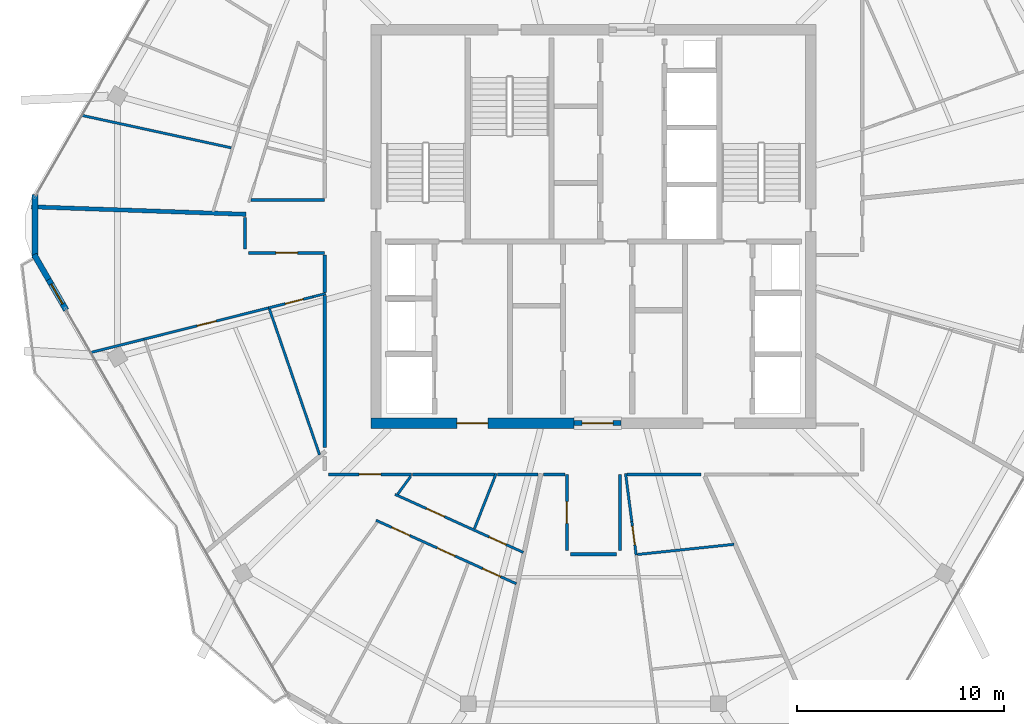
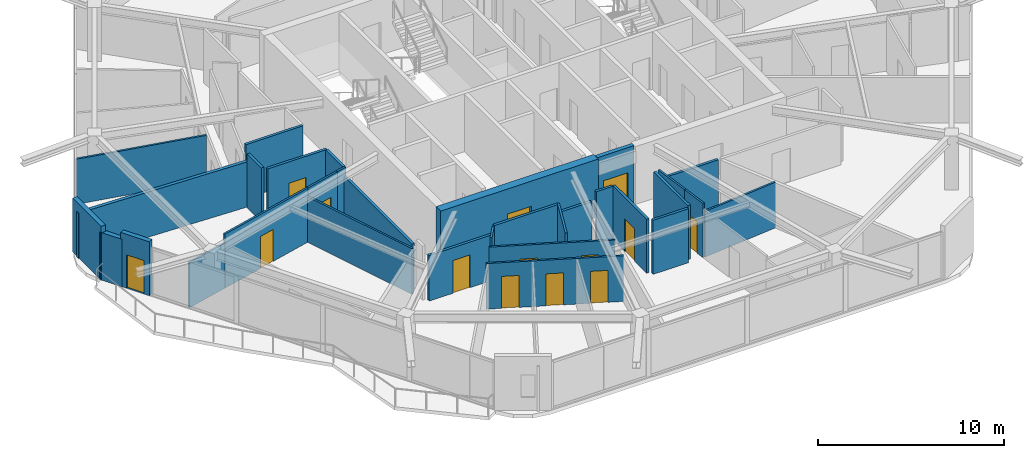
# One storey, part 12 of 18: 32 walls, 14 doors, 14 openings.
"""IFC4 building model written with IfcOpenShell, lengths in metres."""

from ifc_helpers import new_model, si_unit, direction, frame, frame_2d, origin, place, context, subcontext, project, spatial, rectangle, extrude, material, layer, layer_set, type_object, element, fill, save


model = new_model("IFC4")

# Units and contexts
model_context = context("Model", 3, precision=1e-05, world=origin(), true_north=direction((0.0, 1.0)))
body_context = subcontext(model_context, "Body", "Model", "MODEL_VIEW")
ifc_project = project(units=[si_unit("LENGTHUNIT", "METRE"), si_unit("AREAUNIT", "SQUARE_METRE"), si_unit("VOLUMEUNIT", "CUBIC_METRE"), si_unit("PLANEANGLEUNIT", "RADIAN"), si_unit("MASSUNIT", "GRAM", prefix="KILO")], contexts=[model_context])

# Site, building, storey
site_placement = place(None, origin())
site = spatial("IfcSite", under=ifc_project, at=site_placement, CompositionType="ELEMENT")
building_placement = place(site_placement, origin())
building = spatial("IfcBuilding", under=site, at=building_placement, Name="Zuhravey Tower", CompositionType="ELEMENT")
storey_placement = place(building_placement, frame((0.0, 0.0, 342.39990234375)))
storey = spatial("IfcBuildingStorey", under=building, at=storey_placement, Name="L87", CompositionType="ELEMENT", Elevation=342.39990234375)

# Wall, opening, door
ifc_material_1 = material(Name="Concrete C50/60", Category="concrete")
ifc_layer_1 = layer(ifc_material_1, 0.5)
ifc_layer_set_1 = layer_set([ifc_layer_1], Name="Concrete C50/60")
wall_type_1 = type_object("IfcWallType", Name="Core Shear Wall 500", PredefinedType="SHEAR", material=ifc_layer_set_1)
wall_1_placement = place(storey_placement, frame((25.25, 22.5, 0.0), z_axis=(0.0, 0.0, 1.0), x_axis=(1.0, 0.0, 0.0)))
wall_1 = element("IfcWall", 1, at=wall_1_placement, inside=storey, type_object=wall_type_1, Name="L87 South-West Core Shear Wall CW50", PredefinedType="SHEAR", context=body_context, shape_type="SweptSolid", body=[
    extrude(rectangle(XDim=9.800048828125, YDim=0.5, at=frame_2d((4.89990234375, 0.0))), origin(), (0.0, 0.0, 1.0), 3.800048828125),
])
opening_1_placement = place(wall_1_placement, frame((4.14990234375, 0.0, 0.0)))
opening_1 = element("IfcOpeningElement", 2, at=opening_1_placement, cuts=wall_1, Name="Opening FFD1", PredefinedType="OPENING", context=body_context, shape_type="SweptSolid", body=[
    extrude(rectangle(XDim=1.5, YDim=2.14990234375, at=frame_2d((0.75, 1.074951171875))), frame((0.0, 0.261962890625, 0.0), z_axis=(0.0, -1.0, 0.0), x_axis=(1.0, 0.0, 0.0)), (0.0, 0.0, 1.0), 0.52392578125),
])
ifc_material_2 = material(Name="Galvanised fire-rated steel leaf", Category="steel")
door_type_1 = type_object("IfcDoorType", Name="Firefighting Lobby Double Door 1500x2150", OperationType="DOUBLE_DOOR_SINGLE_SWING", PredefinedType="DOOR", material=ifc_material_2)
door_1_placement = place(opening_1_placement, origin())
door_1 = element("IfcDoor", 3, at=door_1_placement, inside=storey, type_object=door_type_1, Name="L87 Firefighting Lobby West Door", OperationType="DOUBLE_DOOR_SINGLE_SWING", OverallHeight=2.14990234375, OverallWidth=1.5, PredefinedType="DOOR", context=body_context, shape_type="SweptSolid", body=[
    extrude(rectangle(XDim=1.5, YDim=2.14990234375, at=frame_2d((0.75, 1.074951171875))), frame((0.0, 0.02490234375, 0.0), z_axis=(0.0, -1.0, 0.0), x_axis=(1.0, 0.0, 0.0)), (0.0, 0.0, 1.0), 0.050048828125),
])
fill(opening_1, door_1)

ifc_material_3 = material(Name="Gypsum fire-rated stud partition")
ifc_layer_2 = layer(ifc_material_3, 0.159912109375)
ifc_layer_set_2 = layer_set([ifc_layer_2], Name="Gypsum fire-rated stud partition")
wall_type_2 = type_object("IfcWallType", Name="Corridor Fire Partition 160", PredefinedType="PARTITIONING", material=ifc_layer_set_2)
wall_2_placement = place(storey_placement, frame((19.35009765625, 30.719970703125, 0.0), z_axis=(0.0, 0.0, 1.0), x_axis=(1.0, 0.0, 0.0)))
wall_2 = element("IfcWall", 4, at=wall_2_placement, inside=storey, type_object=wall_type_2, Name="L87 IW16 Partition 033", PredefinedType="PARTITIONING", context=body_context, shape_type="SweptSolid", body=[
    extrude(rectangle(XDim=3.669921875, YDim=0.159912109375, at=frame_2d((1.8349609375, 0.0))), origin(), (0.0, 0.0, 1.0), 3.550048828125),
])
opening_2_placement = place(wall_2_placement, frame((1.31005859375, 0.0, 0.0)))
opening_2 = element("IfcOpeningElement", 5, at=opening_2_placement, cuts=wall_2, Name="Opening APD1", PredefinedType="OPENING", context=body_context, shape_type="SweptSolid", body=[
    extrude(rectangle(XDim=1.050048828125, YDim=2.14990234375, at=frame_2d((0.52490234375, 1.074951171875))), frame((0.0, 0.092041015625, 0.0), z_axis=(0.0, -1.0, 0.0), x_axis=(1.0, 0.0, 0.0)), (0.0, 0.0, 1.0), 0.183837890625),
])
ifc_material_4 = material(Name="Solid-core oak fire-rated leaf")
door_type_2 = type_object("IfcDoorType", Name="Apartment Entrance Fire Door 1050x2150", OperationType="NOTDEFINED", PredefinedType="DOOR", material=ifc_material_4)
door_2_placement = place(opening_2_placement, frame((1.050048828125, 0.0, 0.0), z_axis=(0.0, 0.0, 1.0), x_axis=(-1.0, 0.0, 0.0)))
door_2 = element("IfcDoor", 6, at=door_2_placement, inside=storey, type_object=door_type_2, Name="L87 Door 033.1", OperationType="SINGLE_SWING_RIGHT", OverallHeight=2.14990234375, OverallWidth=1.050048828125, PredefinedType="DOOR", context=body_context, shape_type="SweptSolid", body=[
    extrude(rectangle(XDim=1.050048828125, YDim=2.14990234375, at=frame_2d((0.52490234375, 1.074951171875))), frame((0.0, 0.02490234375, 0.0), z_axis=(0.0, -1.0, 0.0), x_axis=(1.0, 0.0, 0.0)), (0.0, 0.0, 1.0), 0.050048828125),
])
fill(opening_2, door_2)

wall_3_placement = place(storey_placement, frame((23.20068359375, 20.02001953125, 0.0), z_axis=(0.0, 0.0, 1.0), x_axis=(1.0, 0.0, 0.0)))
wall_3 = element("IfcWall", 7, at=wall_3_placement, inside=storey, type_object=wall_type_2, Name="L87 IW16 Partition 036", PredefinedType="PARTITIONING", context=body_context, shape_type="SweptSolid", body=[
    extrude(rectangle(XDim=4.012939453125, YDim=0.159912109375, at=frame_2d((2.00634765625, 0.0))), origin(), (0.0, 0.0, 1.0), 3.0),
])
opening_3_placement = place(wall_3_placement, frame((1.4814453125, 0.0, 0.0)))
opening_3 = element("IfcOpeningElement", 8, at=opening_3_placement, cuts=wall_3, Name="Opening APD1", PredefinedType="OPENING", context=body_context, shape_type="SweptSolid", body=[
    extrude(rectangle(XDim=1.050048828125, YDim=2.14990234375, at=frame_2d((0.52490234375, 1.074951171875))), frame((0.0, 0.092041015625, 0.0), z_axis=(0.0, -1.0, 0.0), x_axis=(1.0, 0.0, 0.0)), (0.0, 0.0, 1.0), 0.183837890625),
])
door_3_placement = place(opening_3_placement, frame((1.050048828125, 0.0, 0.0), z_axis=(0.0, 0.0, 1.0), x_axis=(-1.0, 0.0, 0.0)))
door_3 = element("IfcDoor", 9, at=door_3_placement, inside=storey, type_object=door_type_2, Name="L87 Door 036.1", OperationType="SINGLE_SWING_RIGHT", OverallHeight=2.14990234375, OverallWidth=1.050048828125, PredefinedType="DOOR", context=body_context, shape_type="SweptSolid", body=[
    extrude(rectangle(XDim=1.050048828125, YDim=2.14990234375, at=frame_2d((0.52490234375, 1.074951171875))), frame((0.0, 0.02490234375, 0.0), z_axis=(0.0, -1.0, 0.0), x_axis=(1.0, 0.0, 0.0)), (0.0, 0.0, 1.0), 0.050048828125),
])
fill(opening_3, door_3)

wall_4_placement = place(storey_placement, frame((34.719970703125, 20.02001953125, 0.0), z_axis=(0.0, 0.0, 1.0), x_axis=(0.0, -1.0, 0.0)))
wall_4 = element("IfcWall", 10, at=wall_4_placement, inside=storey, type_object=wall_type_2, Name="L87 IW16 Partition 040", PredefinedType="PARTITIONING", context=body_context, shape_type="SweptSolid", body=[
    extrude(rectangle(XDim=3.669921875, YDim=0.159912109375, at=frame_2d((1.8349609375, 0.0))), origin(), (0.0, 0.0, 1.0), 3.550048828125),
])
opening_4_placement = place(wall_4_placement, frame((1.31005859375, 0.0, 0.0)))
opening_4 = element("IfcOpeningElement", 11, at=opening_4_placement, cuts=wall_4, Name="Opening APD1", PredefinedType="OPENING", context=body_context, shape_type="SweptSolid", body=[
    extrude(rectangle(XDim=1.050048828125, YDim=2.14990234375, at=frame_2d((0.52490234375, 1.074951171875))), frame((0.0, 0.092041015625, 0.0), z_axis=(0.0, -1.0, 0.0), x_axis=(1.0, 0.0, 0.0)), (0.0, 0.0, 1.0), 0.183837890625),
])
door_4_placement = place(opening_4_placement, origin())
door_4 = element("IfcDoor", 12, at=door_4_placement, inside=storey, type_object=door_type_2, Name="L87 Door 040.1", OperationType="SINGLE_SWING_RIGHT", OverallHeight=2.14990234375, OverallWidth=1.050048828125, PredefinedType="DOOR", context=body_context, shape_type="SweptSolid", body=[
    extrude(rectangle(XDim=1.050048828125, YDim=2.14990234375, at=frame_2d((0.52490234375, 1.074951171875))), frame((0.0, 0.02490234375, 0.0), z_axis=(0.0, -1.0, 0.0), x_axis=(1.0, 0.0, 0.0)), (0.0, 0.0, 1.0), 0.050048828125),
])
fill(opening_4, door_4)

# Walls
wall_5_placement = place(storey_placement, frame((23.02001953125, 33.280029296875, 0.0), z_axis=(0.0, 0.0, 1.0), x_axis=(-1.0, 0.0, 0.0)))
element("IfcWall", 13, at=wall_5_placement, inside=storey, type_object=wall_type_2, Name="L87 IW16 Partition 111", PredefinedType="PARTITIONING", context=body_context, shape_type="SweptSolid", body=[
    extrude(rectangle(XDim=3.55859375, YDim=0.159912109375, at=frame_2d((1.779296875, 0.0))), origin(), (0.0, 0.0, 1.0), 3.550048828125),
])
wall_6_placement = place(storey_placement, frame((23.02001953125, 30.632080078125, 0.0), z_axis=(0.0, 0.0, 1.0), x_axis=(0.0, -1.0, 0.0)))
element("IfcWall", 14, at=wall_6_placement, inside=storey, type_object=wall_type_2, Name="L87 IW16 Partition 113", PredefinedType="PARTITIONING", context=body_context, shape_type="SweptSolid", body=[
    extrude(rectangle(XDim=1.8173828125, YDim=0.159912109375, at=frame_2d((0.90869140625, 0.0))), origin(), (0.0, 0.0, 1.0), 3.550048828125),
])
wall_7_placement = place(storey_placement, frame((19.169921875, 32.420654296875, 0.0), z_axis=(0.0, 0.0, 1.0), x_axis=(0.0, -1.0, 0.0)))
element("IfcWall", 15, at=wall_7_placement, inside=storey, type_object=wall_type_2, Name="L87 IW16 Partition 114", PredefinedType="PARTITIONING", context=body_context, shape_type="SweptSolid", body=[
    extrude(rectangle(XDim=1.520751953125, YDim=0.159912109375, at=frame_2d((0.76025390625, 0.0))), origin(), (0.0, 0.0, 1.0), 3.550048828125),
])
wall_8_placement = place(storey_placement, frame((23.02001953125, 28.67431640625, 0.0), z_axis=(0.0, 0.0, 1.0), x_axis=(0.0, -1.0, 0.0)))
element("IfcWall", 16, at=wall_8_placement, inside=storey, type_object=wall_type_2, Name="L87 IW16 Partition 115", PredefinedType="PARTITIONING", context=body_context, shape_type="SweptSolid", body=[
    extrude(rectangle(XDim=7.348388671875, YDim=0.159912109375, at=frame_2d((3.67431640625, 0.0))), origin(), (0.0, 0.0, 1.0), 3.0),
])
wall_9_placement = place(storey_placement, frame((27.26318359375, 20.02001953125, 0.0), z_axis=(0.0, 0.0, 1.0), x_axis=(1.0, 0.0, 0.0)))
element("IfcWall", 17, at=wall_9_placement, inside=storey, type_object=wall_type_2, Name="L87 IW16 Partition 117", PredefinedType="PARTITIONING", context=body_context, shape_type="SweptSolid", body=[
    extrude(rectangle(XDim=3.945068359375, YDim=0.159912109375, at=frame_2d((1.97265625, 0.0))), origin(), (0.0, 0.0, 1.0), 3.550048828125),
])
wall_10_placement = place(storey_placement, frame((31.3544921875, 20.02001953125, 0.0), z_axis=(0.0, 0.0, 1.0), x_axis=(1.0, 0.0, 0.0)))
element("IfcWall", 18, at=wall_10_placement, inside=storey, type_object=wall_type_2, Name="L87 IW16 Partition 118", PredefinedType="PARTITIONING", context=body_context, shape_type="SweptSolid", body=[
    extrude(rectangle(XDim=1.968994140625, YDim=0.159912109375, at=frame_2d((0.984375, 0.0))), origin(), (0.0, 0.0, 1.0), 3.0),
])
wall_11_placement = place(storey_placement, frame((37.280029296875, 16.35009765625, 0.0), z_axis=(0.0, 0.0, 1.0), x_axis=(0.0, 1.0, 0.0)))
element("IfcWall", 19, at=wall_11_placement, inside=storey, type_object=wall_type_2, Name="L87 IW16 Partition 119", PredefinedType="PARTITIONING", context=body_context, shape_type="SweptSolid", body=[
    extrude(rectangle(XDim=3.669921875, YDim=0.159912109375, at=frame_2d((1.8349609375, 0.0))), origin(), (0.0, 0.0, 1.0), 3.550048828125),
])
wall_12_placement = place(storey_placement, frame((34.89990234375, 16.169921875, 0.0), z_axis=(0.0, 0.0, 1.0), x_axis=(1.0, 0.0, 0.0)))
element("IfcWall", 20, at=wall_12_placement, inside=storey, type_object=wall_type_2, Name="L87 IW16 Partition 120", PredefinedType="PARTITIONING", context=body_context, shape_type="SweptSolid", body=[
    extrude(rectangle(XDim=2.2001953125, YDim=0.159912109375, at=frame_2d((1.10009765625, 0.0))), origin(), (0.0, 0.0, 1.0), 3.550048828125),
])
wall_13_placement = place(storey_placement, frame((33.5830078125, 20.02001953125, 0.0), z_axis=(0.0, 0.0, 1.0), x_axis=(1.0, 0.0, 0.0)))
element("IfcWall", 21, at=wall_13_placement, inside=storey, type_object=wall_type_2, Name="L87 IW16 Partition 121", PredefinedType="PARTITIONING", context=body_context, shape_type="SweptSolid", body=[
    extrude(rectangle(XDim=1.049072265625, YDim=0.159912109375, at=frame_2d((0.5244140625, 0.0))), origin(), (0.0, 0.0, 1.0), 3.550048828125),
])
wall_14_placement = place(storey_placement, frame((37.62451171875, 20.02001953125, 0.0), z_axis=(0.0, 0.0, 1.0), x_axis=(1.0, 0.0, 0.0)))
element("IfcWall", 22, at=wall_14_placement, inside=storey, type_object=wall_type_2, Name="L87 IW16 Partition 122", PredefinedType="PARTITIONING", context=body_context, shape_type="SweptSolid", body=[
    extrude(rectangle(XDim=3.562744140625, YDim=0.159912109375, at=frame_2d((1.78125, 0.0))), origin(), (0.0, 0.0, 1.0), 3.0),
])

# Wall, opening, door
ifc_material_5 = material(Name="Precast concrete C40/50", Category="concrete")
ifc_layer_3 = layer(ifc_material_5, 0.280029296875)
ifc_layer_set_3 = layer_set([ifc_layer_3], Name="Precast concrete C40/50")
wall_type_3 = type_object("IfcWallType", Name="Crown Architectural Wall 280", PredefinedType="SOLIDWALL", material=ifc_layer_set_3)
wall_15_placement = place(storey_placement, frame((10.531494140625, 27.964599609375, 0.0), z_axis=(0.0, 0.0, 1.0), x_axis=(-0.499982180423, 0.866035691677, 0.0)))
wall_15 = element("IfcWall", 23, at=wall_15_placement, inside=storey, type_object=wall_type_3, Name="L87 Face 4 Facade Pier EW28-1", PredefinedType="SOLIDWALL", context=body_context, shape_type="SweptSolid", body=[
    extrude(rectangle(XDim=1.7900390625, YDim=0.280029296875, at=frame_2d((0.89501953125, 0.0))), origin(), (0.0, 0.0, 1.0), 3.550048828125),
])
opening_5_placement = place(wall_15_placement, frame((0.344970703125, 0.0, 0.0)))
opening_5 = element("IfcOpeningElement", 24, at=opening_5_placement, cuts=wall_15, Name="Opening BLD1", PredefinedType="OPENING", context=body_context, shape_type="SweptSolid", body=[
    extrude(rectangle(XDim=1.10009765625, YDim=2.199951171875, at=frame_2d((0.550048828125, 1.10009765625))), frame((0.0, 0.152099609375, 0.0), z_axis=(0.0, -1.0, 0.0), x_axis=(1.0, 0.0, 0.0)), (0.0, 0.0, 1.0), 0.303955078125),
])
ifc_material_6 = material(Name="Thermally broken aluminium and low-E glass", Category="aluminium")
door_type_3 = type_object("IfcDoorType", Name="Balcony & Sky-Tray Glazed Door 1100x2200", OperationType="NOTDEFINED", PredefinedType="DOOR", material=ifc_material_6)
door_5_placement = place(opening_5_placement, frame((1.10009765625, 0.0, 0.0), z_axis=(0.0, 0.0, 1.0), x_axis=(-1.0, 0.0, 0.0)))
door_5 = element("IfcDoor", 25, at=door_5_placement, inside=storey, type_object=door_type_3, Name="L87 Face 4 Wave Balcony Door", OperationType="SINGLE_SWING_LEFT", OverallHeight=2.199951171875, OverallWidth=1.10009765625, PredefinedType="DOOR", context=body_context, shape_type="SweptSolid", body=[
    extrude(rectangle(XDim=1.10009765625, YDim=2.199951171875, at=frame_2d((0.550048828125, 1.10009765625))), frame((0.0, 0.02490234375, 0.0), z_axis=(0.0, -1.0, 0.0), x_axis=(1.0, 0.0, 0.0)), (0.0, 0.0, 1.0), 0.050048828125),
])
fill(opening_5, door_5)

# Walls
wall_16_placement = place(storey_placement, frame((9.681396484375, 29.43701171875, 0.0), z_axis=(0.0, 0.0, 1.0), x_axis=(-0.499980071345, 0.866036909293, 0.0)))
element("IfcWall", 26, at=wall_16_placement, inside=storey, type_object=wall_type_3, Name="L87 Face 4 Closure Pier EW28", PredefinedType="SOLIDWALL", context=body_context, shape_type="SweptSolid", body=[
    extrude(rectangle(XDim=1.39453125, YDim=0.280029296875, at=frame_2d((0.697265625, 0.0))), origin(), (0.0, 0.0, 1.0), 3.1220703125),
])
wall_17_placement = place(storey_placement, frame((9.031494140625, 30.467529296875, 0.0), z_axis=(0.0, 0.0, 1.0), x_axis=(0.0, 1.0, 0.0)))
element("IfcWall", 27, at=wall_17_placement, inside=storey, type_object=wall_type_3, Name="L87 Rounded Corner Closure Wall EW28-06", PredefinedType="SOLIDWALL", context=body_context, shape_type="SweptSolid", body=[
    extrude(rectangle(XDim=3.06494140625, YDim=0.280029296875, at=frame_2d((1.532470703125, 0.0))), origin(), (0.0, 0.0, 1.0), 3.550048828125),
])

# Wall, opening, door
ifc_layer_4 = layer(ifc_material_1, 0.25)
ifc_layer_set_4 = layer_set([ifc_layer_4], Name="Concrete C50/60")
wall_type_4 = type_object("IfcWallType", Name="Firefighting Shaft & Stair Wall 250", PredefinedType="SOLIDWALL", material=ifc_layer_set_4)
wall_18_placement = place(storey_placement, frame((35.06005859375, 22.5, 0.0), z_axis=(0.0, 0.0, 1.0), x_axis=(1.0, 0.0, 0.0)))
wall_18 = element("IfcWall", 28, at=wall_18_placement, inside=storey, type_object=wall_type_4, Name="L87 FW25 Shaft Wall 001", PredefinedType="SOLIDWALL", context=body_context, shape_type="SweptSolid", body=[
    extrude(rectangle(XDim=2.280029296875, YDim=0.25, at=frame_2d((1.14013671875, 0.0))), origin(), (0.0, 0.0, 1.0), 3.800048828125),
])
opening_6_placement = place(wall_18_placement, frame((0.389892578125, 0.0, 0.0)))
opening_6 = element("IfcOpeningElement", 29, at=opening_6_placement, cuts=wall_18, Name="Opening FFD1", PredefinedType="OPENING", context=body_context, shape_type="SweptSolid", body=[
    extrude(rectangle(XDim=1.5, YDim=2.14990234375, at=frame_2d((0.75, 1.074951171875))), frame((0.0, 0.136962890625, 0.0), z_axis=(0.0, -1.0, 0.0), x_axis=(1.0, 0.0, 0.0)), (0.0, 0.0, 1.0), 0.27392578125),
])
door_6_placement = place(opening_6_placement, frame((1.5, 0.0, 0.0), z_axis=(0.0, 0.0, 1.0), x_axis=(-1.0, 0.0, 0.0)))
door_6 = element("IfcDoor", 30, at=door_6_placement, inside=storey, type_object=door_type_1, Name="L87 South Lift Lobby Exit Door", OperationType="DOUBLE_DOOR_SINGLE_SWING", OverallHeight=2.14990234375, OverallWidth=1.5, PredefinedType="DOOR", context=body_context, shape_type="SweptSolid", body=[
    extrude(rectangle(XDim=1.5, YDim=2.14990234375, at=frame_2d((0.75, 1.074951171875))), frame((0.0, 0.02490234375, 0.0), z_axis=(0.0, -1.0, 0.0), x_axis=(1.0, 0.0, 0.0)), (0.0, 0.0, 1.0), 0.050048828125),
])
fill(opening_6, door_6)

# Wall
ifc_material_7 = material(Name="Gypsum double-stud party assembly")
ifc_layer_5 = layer(ifc_material_7, 0.199951171875)
ifc_layer_set_5 = layer_set([ifc_layer_5], Name="Gypsum double-stud party assembly")
wall_type_5 = type_object("IfcWallType", Name="Inter-Tenancy Party Wall 200", PredefinedType="PARTITIONING", material=ifc_layer_set_5)
wall_19_placement = place(storey_placement, frame((19.2099609375, 32.586181640625, 0.0), z_axis=(0.0, 0.0, 1.0), x_axis=(-0.999390829102, 0.034899437044, 0.0)))
element("IfcWall", 31, at=wall_19_placement, inside=storey, type_object=wall_type_5, Name="L87 IW20 Partition 076", PredefinedType="PARTITIONING", context=body_context, shape_type="SweptSolid", body=[
    extrude(rectangle(XDim=10.367431640625, YDim=0.199951171875, at=frame_2d((5.18359375, 0.0))), origin(), (0.0, 0.0, 1.0), 2.97021484375),
])

# Wall, opening, door
ifc_material_8 = material(Name="Gypsum metal-stud partition")
ifc_layer_6 = layer(ifc_material_8, 0.1201171875)
ifc_layer_set_6 = layer_set([ifc_layer_6], Name="Gypsum metal-stud partition")
wall_type_6 = type_object("IfcWallType", Name="Unit Internal Partition 120", PredefinedType="PARTITIONING", material=ifc_layer_set_6)
wall_20_placement = place(storey_placement, frame((22.449951171875, 28.6015625, 0.0), z_axis=(0.0, 0.0, 1.0), x_axis=(-0.969941016034, -0.243340143452, 0.0)))
wall_20 = element("IfcWall", 32, at=wall_20_placement, inside=storey, type_object=wall_type_6, Name="L87 IW12 Partition 030", PredefinedType="PARTITIONING", context=body_context, shape_type="SweptSolid", body=[
    extrude(rectangle(XDim=2.213134765625, YDim=0.1201171875, at=frame_2d((1.1064453125, 0.0))), origin(), (0.0, 0.0, 1.0), 3.550048828125),
])
opening_7_placement = place(wall_20_placement, frame((0.4794921875, 0.0, 0.0)))
opening_7 = element("IfcOpeningElement", 33, at=opening_7_placement, cuts=wall_20, Name="Opening WCD1", PredefinedType="OPENING", context=body_context, shape_type="SweptSolid", body=[
    extrude(rectangle(XDim=0.89990234375, YDim=2.10009765625, at=frame_2d((0.449951171875, 1.050048828125))), frame((0.0, 0.072021484375, 0.0), z_axis=(0.0, -1.0, 0.0), x_axis=(1.0, 0.0, 0.0)), (0.0, 0.0, 1.0), 0.14404296875),
])
ifc_material_9 = material(Name="Moisture-resistant timber leaf", Category="wood")
door_type_4 = type_object("IfcDoorType", Name="Bathroom & WC Internal Door 900x2100", OperationType="NOTDEFINED", PredefinedType="DOOR", material=ifc_material_9)
door_7_placement = place(opening_7_placement, origin())
door_7 = element("IfcDoor", 34, at=door_7_placement, inside=storey, type_object=door_type_4, Name="Apartment L87-04 Bathroom Door", OperationType="SINGLE_SWING_LEFT", OverallHeight=2.10009765625, OverallWidth=0.89990234375, PredefinedType="DOOR", context=body_context, shape_type="SweptSolid", body=[
    extrude(rectangle(XDim=0.89990234375, YDim=2.10009765625, at=frame_2d((0.449951171875, 1.050048828125))), frame((0.0, 0.02490234375, 0.0), z_axis=(0.0, -1.0, 0.0), x_axis=(1.0, 0.0, 0.0)), (0.0, 0.0, 1.0), 0.050048828125),
])
fill(opening_7, door_7)

wall_21_placement = place(storey_placement, frame((20.30322265625, 28.06298828125, 0.0), z_axis=(0.0, 0.0, 1.0), x_axis=(-0.969954547898, -0.243286199796, 0.0)))
wall_21 = element("IfcWall", 35, at=wall_21_placement, inside=storey, type_object=wall_type_6, Name="L87 IW12 Partition 031", PredefinedType="PARTITIONING", context=body_context, shape_type="SweptSolid", body=[
    extrude(rectangle(XDim=6.19873046875, YDim=0.1201171875, at=frame_2d((3.099365234375, 0.0))), origin(), (0.0, 0.0, 1.0), 3.550048828125),
])
opening_8_placement = place(wall_21_placement, frame((2.599365234375, 0.0, 0.0)))
opening_8 = element("IfcOpeningElement", 36, at=opening_8_placement, cuts=wall_21, Name="Opening IND1", PredefinedType="OPENING", context=body_context, shape_type="SweptSolid", body=[
    extrude(rectangle(XDim=0.949951171875, YDim=2.10009765625, at=frame_2d((0.47509765625, 1.050048828125))), frame((0.0, 0.072021484375, 0.0), z_axis=(0.0, -1.0, 0.0), x_axis=(1.0, 0.0, 0.0)), (0.0, 0.0, 1.0), 0.14404296875),
])
ifc_material_10 = material(Name="Painted engineered timber leaf", Category="wood")
door_type_5 = type_object("IfcDoorType", Name="Internal Room & Bedroom Door 950x2100", OperationType="NOTDEFINED", PredefinedType="DOOR", material=ifc_material_10)
door_8_placement = place(opening_8_placement, origin())
door_8 = element("IfcDoor", 37, at=door_8_placement, inside=storey, type_object=door_type_5, Name="Apartment L87-04 Home Office Door", OperationType="SINGLE_SWING_RIGHT", OverallHeight=2.10009765625, OverallWidth=0.949951171875, PredefinedType="DOOR", context=body_context, shape_type="SweptSolid", body=[
    extrude(rectangle(XDim=0.949951171875, YDim=2.10009765625, at=frame_2d((0.47509765625, 1.050048828125))), frame((0.0, 0.02490234375, 0.0), z_axis=(0.0, -1.0, 0.0), x_axis=(1.0, 0.0, 0.0)), (0.0, 0.0, 1.0), 0.050048828125),
])
fill(opening_8, door_8)

# Wall, openings, doors
wall_22_placement = place(storey_placement, frame((26.413330078125, 19.061279296875, 0.0), z_axis=(0.0, 0.0, 1.0), x_axis=(0.911113377023, -0.412155813024, 0.0)))
wall_22 = element("IfcWall", 38, at=wall_22_placement, inside=storey, type_object=wall_type_6, Name="L87 IW12 Partition 034", PredefinedType="PARTITIONING", context=body_context, shape_type="SweptSolid", body=[
    extrude(rectangle(XDim=6.8037109375, YDim=0.1201171875, at=frame_2d((3.40185546875, 0.0))), origin(), (0.0, 0.0, 1.0), 3.0),
])
opening_9_placement = place(wall_22_placement, frame((1.66748046875, 0.0, 0.0)))
opening_9 = element("IfcOpeningElement", 39, at=opening_9_placement, cuts=wall_22, Name="Opening IND1", PredefinedType="OPENING", context=body_context, shape_type="SweptSolid", body=[
    extrude(rectangle(XDim=0.949951171875, YDim=2.10009765625, at=frame_2d((0.47509765625, 1.050048828125))), frame((0.0, 0.072021484375, 0.0), z_axis=(0.0, -1.0, 0.0), x_axis=(1.0, 0.0, 0.0)), (0.0, 0.0, 1.0), 0.14404296875),
])
opening_10_placement = place(wall_22_placement, frame((4.9921875, 0.0, 0.0)))
opening_10 = element("IfcOpeningElement", 40, at=opening_10_placement, cuts=wall_22, Name="Opening WCD1", PredefinedType="OPENING", context=body_context, shape_type="SweptSolid", body=[
    extrude(rectangle(XDim=0.89990234375, YDim=2.10009765625, at=frame_2d((0.449951171875, 1.050048828125))), frame((0.0, 0.072021484375, 0.0), z_axis=(0.0, -1.0, 0.0), x_axis=(1.0, 0.0, 0.0)), (0.0, 0.0, 1.0), 0.14404296875),
])
door_9_placement = place(opening_10_placement, origin())
door_9 = element("IfcDoor", 41, at=door_9_placement, inside=storey, type_object=door_type_4, Name="Apartment L87-05 Bathroom Door", OperationType="SINGLE_SWING_RIGHT", OverallHeight=2.10009765625, OverallWidth=0.89990234375, PredefinedType="DOOR", context=body_context, shape_type="SweptSolid", body=[
    extrude(rectangle(XDim=0.89990234375, YDim=2.10009765625, at=frame_2d((0.449951171875, 1.050048828125))), frame((0.0, 0.02490234375, 0.0), z_axis=(0.0, -1.0, 0.0), x_axis=(1.0, 0.0, 0.0)), (0.0, 0.0, 1.0), 0.050048828125),
])
fill(opening_10, door_9)
door_10_placement = place(opening_9_placement, origin())
door_10 = element("IfcDoor", 42, at=door_10_placement, inside=storey, type_object=door_type_5, Name="Apartment L87-05 Kitchen Door", OperationType="SINGLE_SWING_LEFT", OverallHeight=2.10009765625, OverallWidth=0.949951171875, PredefinedType="DOOR", context=body_context, shape_type="SweptSolid", body=[
    extrude(rectangle(XDim=0.949951171875, YDim=2.10009765625, at=frame_2d((0.47509765625, 1.050048828125))), frame((0.0, 0.02490234375, 0.0), z_axis=(0.0, -1.0, 0.0), x_axis=(1.0, 0.0, 0.0)), (0.0, 0.0, 1.0), 0.050048828125),
])
fill(opening_9, door_10)

wall_23_placement = place(storey_placement, frame((25.49658203125, 17.807861328125, 0.0), z_axis=(0.0, 0.0, 1.0), x_axis=(0.911109976368, -0.412163330445, 0.0)))
wall_23 = element("IfcWall", 43, at=wall_23_placement, inside=storey, type_object=wall_type_6, Name="L87 IW12 Partition 035", PredefinedType="PARTITIONING", context=body_context, shape_type="SweptSolid", body=[
    extrude(rectangle(XDim=7.44091796875, YDim=0.1201171875, at=frame_2d((3.720458984375, 0.0))), origin(), (0.0, 0.0, 1.0), 3.0),
])
opening_11_placement = place(wall_23_placement, frame((0.83984375, 0.0, 0.0)))
opening_11 = element("IfcOpeningElement", 44, at=opening_11_placement, cuts=wall_23, Name="Opening IND1", PredefinedType="OPENING", context=body_context, shape_type="SweptSolid", body=[
    extrude(rectangle(XDim=0.949951171875, YDim=2.10009765625, at=frame_2d((0.47509765625, 1.050048828125))), frame((0.0, 0.072021484375, 0.0), z_axis=(0.0, -1.0, 0.0), x_axis=(1.0, 0.0, 0.0)), (0.0, 0.0, 1.0), 0.14404296875),
])
opening_12_placement = place(wall_23_placement, frame((3.24560546875, 0.0, 0.0)))
opening_12 = element("IfcOpeningElement", 45, at=opening_12_placement, cuts=wall_23, Name="Opening IND1", PredefinedType="OPENING", context=body_context, shape_type="SweptSolid", body=[
    extrude(rectangle(XDim=0.949951171875, YDim=2.10009765625, at=frame_2d((0.47509765625, 1.050048828125))), frame((0.0, 0.072021484375, 0.0), z_axis=(0.0, -1.0, 0.0), x_axis=(1.0, 0.0, 0.0)), (0.0, 0.0, 1.0), 0.14404296875),
])
opening_13_placement = place(wall_23_placement, frame((5.651123046875, 0.0, 0.0)))
opening_13 = element("IfcOpeningElement", 46, at=opening_13_placement, cuts=wall_23, Name="Opening IND1", PredefinedType="OPENING", context=body_context, shape_type="SweptSolid", body=[
    extrude(rectangle(XDim=0.949951171875, YDim=2.10009765625, at=frame_2d((0.47509765625, 1.050048828125))), frame((0.0, 0.072021484375, 0.0), z_axis=(0.0, -1.0, 0.0), x_axis=(1.0, 0.0, 0.0)), (0.0, 0.0, 1.0), 0.14404296875),
])
door_11_placement = place(opening_11_placement, frame((0.949951171875, 0.0, 0.0), z_axis=(0.0, 0.0, 1.0), x_axis=(-1.0, 0.0, 0.0)))
door_11 = element("IfcDoor", 47, at=door_11_placement, inside=storey, type_object=door_type_5, Name="Apartment L87-05 Bedroom 1 Door", OperationType="SINGLE_SWING_LEFT", OverallHeight=2.10009765625, OverallWidth=0.949951171875, PredefinedType="DOOR", context=body_context, shape_type="SweptSolid", body=[
    extrude(rectangle(XDim=0.949951171875, YDim=2.10009765625, at=frame_2d((0.47509765625, 1.050048828125))), frame((0.0, 0.02490234375, 0.0), z_axis=(0.0, -1.0, 0.0), x_axis=(1.0, 0.0, 0.0)), (0.0, 0.0, 1.0), 0.050048828125),
])
fill(opening_11, door_11)
door_12_placement = place(opening_12_placement, frame((0.949951171875, 0.0, 0.0), z_axis=(0.0, 0.0, 1.0), x_axis=(-1.0, 0.0, 0.0)))
door_12 = element("IfcDoor", 48, at=door_12_placement, inside=storey, type_object=door_type_5, Name="Apartment L87-05 Bedroom 2 Door", OperationType="SINGLE_SWING_RIGHT", OverallHeight=2.10009765625, OverallWidth=0.949951171875, PredefinedType="DOOR", context=body_context, shape_type="SweptSolid", body=[
    extrude(rectangle(XDim=0.949951171875, YDim=2.10009765625, at=frame_2d((0.47509765625, 1.050048828125))), frame((0.0, 0.02490234375, 0.0), z_axis=(0.0, -1.0, 0.0), x_axis=(1.0, 0.0, 0.0)), (0.0, 0.0, 1.0), 0.050048828125),
])
fill(opening_12, door_12)
door_13_placement = place(opening_13_placement, frame((0.949951171875, 0.0, 0.0), z_axis=(0.0, 0.0, 1.0), x_axis=(-1.0, 0.0, 0.0)))
door_13 = element("IfcDoor", 49, at=door_13_placement, inside=storey, type_object=door_type_5, Name="Apartment L87-05 Bedroom 3 Door", OperationType="SINGLE_SWING_LEFT", OverallHeight=2.10009765625, OverallWidth=0.949951171875, PredefinedType="DOOR", context=body_context, shape_type="SweptSolid", body=[
    extrude(rectangle(XDim=0.949951171875, YDim=2.10009765625, at=frame_2d((0.47509765625, 1.050048828125))), frame((0.0, 0.02490234375, 0.0), z_axis=(0.0, -1.0, 0.0), x_axis=(1.0, 0.0, 0.0)), (0.0, 0.0, 1.0), 0.050048828125),
])
fill(opening_13, door_13)

# Wall, opening, door
wall_24_placement = place(storey_placement, frame((37.85009765625, 17.755859375, 0.0), z_axis=(0.0, 0.0, 1.0), x_axis=(0.128818907628, -0.991668134528, 0.0)))
wall_24 = element("IfcWall", 50, at=wall_24_placement, inside=storey, type_object=wall_type_6, Name="L87 IW12 Partition 037", PredefinedType="PARTITIONING", context=body_context, shape_type="SweptSolid", body=[
    extrude(rectangle(XDim=1.64501953125, YDim=0.1201171875, at=frame_2d((0.822509765625, 0.0))), origin(), (0.0, 0.0, 1.0), 3.550048828125),
])
opening_14_placement = place(wall_24_placement, frame((0.240966796875, 0.0, 0.0)))
opening_14 = element("IfcOpeningElement", 51, at=opening_14_placement, cuts=wall_24, Name="Opening WCD1", PredefinedType="OPENING", context=body_context, shape_type="SweptSolid", body=[
    extrude(rectangle(XDim=0.89990234375, YDim=2.10009765625, at=frame_2d((0.449951171875, 1.050048828125))), frame((0.0, 0.072021484375, 0.0), z_axis=(0.0, -1.0, 0.0), x_axis=(1.0, 0.0, 0.0)), (0.0, 0.0, 1.0), 0.14404296875),
])
door_14_placement = place(opening_14_placement, origin())
door_14 = element("IfcDoor", 52, at=door_14_placement, inside=storey, type_object=door_type_4, Name="Apartment L87-06 Bathroom Door", OperationType="SINGLE_SWING_LEFT", OverallHeight=2.10009765625, OverallWidth=0.89990234375, PredefinedType="DOOR", context=body_context, shape_type="SweptSolid", body=[
    extrude(rectangle(XDim=0.89990234375, YDim=2.10009765625, at=frame_2d((0.449951171875, 1.050048828125))), frame((0.0, 0.02490234375, 0.0), z_axis=(0.0, -1.0, 0.0), x_axis=(1.0, 0.0, 0.0)), (0.0, 0.0, 1.0), 0.050048828125),
])
fill(opening_14, door_14)

# Walls
wall_25_placement = place(storey_placement, frame((18.504150390625, 35.797607421875, 0.0), z_axis=(0.0, 0.0, 1.0), x_axis=(-0.977240169093, 0.212135927914, 0.0)))
element("IfcWall", 53, at=wall_25_placement, inside=storey, type_object=wall_type_6, Name="L87 IW12 Partition 073", PredefinedType="PARTITIONING", context=body_context, shape_type="SweptSolid", body=[
    extrude(rectangle(XDim=7.385009765625, YDim=0.1201171875, at=frame_2d((3.6923828125, 0.0))), origin(), (0.0, 0.0, 1.0), 2.97021484375),
])
wall_26_placement = place(storey_placement, frame((23.064208984375, 28.755615234375, 0.0), z_axis=(0.0, 0.0, 1.0), x_axis=(-0.969960808965, -0.243261236271, 0.0)))
element("IfcWall", 54, at=wall_26_placement, inside=storey, type_object=wall_type_6, Name="L87 IW12 Partition 077", PredefinedType="PARTITIONING", context=body_context, shape_type="SweptSolid", body=[
    extrude(rectangle(XDim=0.63330078125, YDim=0.1201171875, at=frame_2d((0.316650390625, 0.0))), origin(), (0.0, 0.0, 1.0), 3.550048828125),
])
wall_27_placement = place(storey_placement, frame((14.290771484375, 26.554931640625, 0.0), z_axis=(0.0, 0.0, 1.0), x_axis=(-0.969963851094, -0.243249106002, 0.0)))
element("IfcWall", 55, at=wall_27_placement, inside=storey, type_object=wall_type_6, Name="L87 IW12 Partition 078", PredefinedType="PARTITIONING", context=body_context, shape_type="SweptSolid", body=[
    extrude(rectangle(XDim=2.65673828125, YDim=0.1201171875, at=frame_2d((1.328369140625, 0.0))), origin(), (0.0, 0.0, 1.0), 2.97021484375),
])
wall_28_placement = place(storey_placement, frame((20.349853515625, 28.004638671875, 0.0), z_axis=(0.0, 0.0, 1.0), x_axis=(0.32554082169, -0.945527986584, 0.0)))
element("IfcWall", 56, at=wall_28_placement, inside=storey, type_object=wall_type_6, Name="L87 IW12 Partition 079", PredefinedType="PARTITIONING", context=body_context, shape_type="SweptSolid", body=[
    extrude(rectangle(XDim=7.443359375, YDim=0.1201171875, at=frame_2d((3.7216796875, 0.0))), origin(), (0.0, 0.0, 1.0), 3.0),
])
wall_29_placement = place(storey_placement, frame((31.301025390625, 20.070068359375, 0.0), z_axis=(0.0, 0.0, 1.0), x_axis=(-0.366426296645, -0.93044708024, 0.0)))
element("IfcWall", 57, at=wall_29_placement, inside=storey, type_object=wall_type_6, Name="L87 IW12 Partition 081", PredefinedType="PARTITIONING", context=body_context, shape_type="SweptSolid", body=[
    extrude(rectangle(XDim=2.868896484375, YDim=0.1201171875, at=frame_2d((1.4345703125, 0.0))), origin(), (0.0, 0.0, 1.0), 3.550048828125),
])
wall_30_placement = place(storey_placement, frame((27.174072265625, 19.931884765625, 0.0), z_axis=(0.0, 0.0, 1.0), x_axis=(-0.590276099666, -0.807201416106, 0.0)))
element("IfcWall", 58, at=wall_30_placement, inside=storey, type_object=wall_type_6, Name="L87 IW12 Partition 084", PredefinedType="PARTITIONING", context=body_context, shape_type="SweptSolid", body=[
    extrude(rectangle(XDim=1.061279296875, YDim=0.1201171875, at=frame_2d((0.53076171875, 0.0))), origin(), (0.0, 0.0, 1.0), 3.550048828125),
])
wall_31_placement = place(storey_placement, frame((37.550048828125, 20.064697265625, 0.0), z_axis=(0.0, 0.0, 1.0), x_axis=(0.128872952033, -0.991661112596, 0.0)))
element("IfcWall", 59, at=wall_31_placement, inside=storey, type_object=wall_type_6, Name="L87 IW12 Partition 087", PredefinedType="PARTITIONING", context=body_context, shape_type="SweptSolid", body=[
    extrude(rectangle(XDim=2.328369140625, YDim=0.1201171875, at=frame_2d((1.1640625, 0.0))), origin(), (0.0, 0.0, 1.0), 3.550048828125),
])
wall_32_placement = place(storey_placement, frame((38.126220703125, 16.156494140625, 0.0), z_axis=(0.0, 0.0, 1.0), x_axis=(0.994525709455, 0.104492168289, 0.0)))
element("IfcWall", 60, at=wall_32_placement, inside=storey, type_object=wall_type_6, Name="L87 IW12 Partition 089", PredefinedType="PARTITIONING", context=body_context, shape_type="SweptSolid", body=[
    extrude(rectangle(XDim=4.6845703125, YDim=0.1201171875, at=frame_2d((2.34228515625, 0.0))), origin(), (0.0, 0.0, 1.0), 3.0),
])

save(model, "model.ifc")
